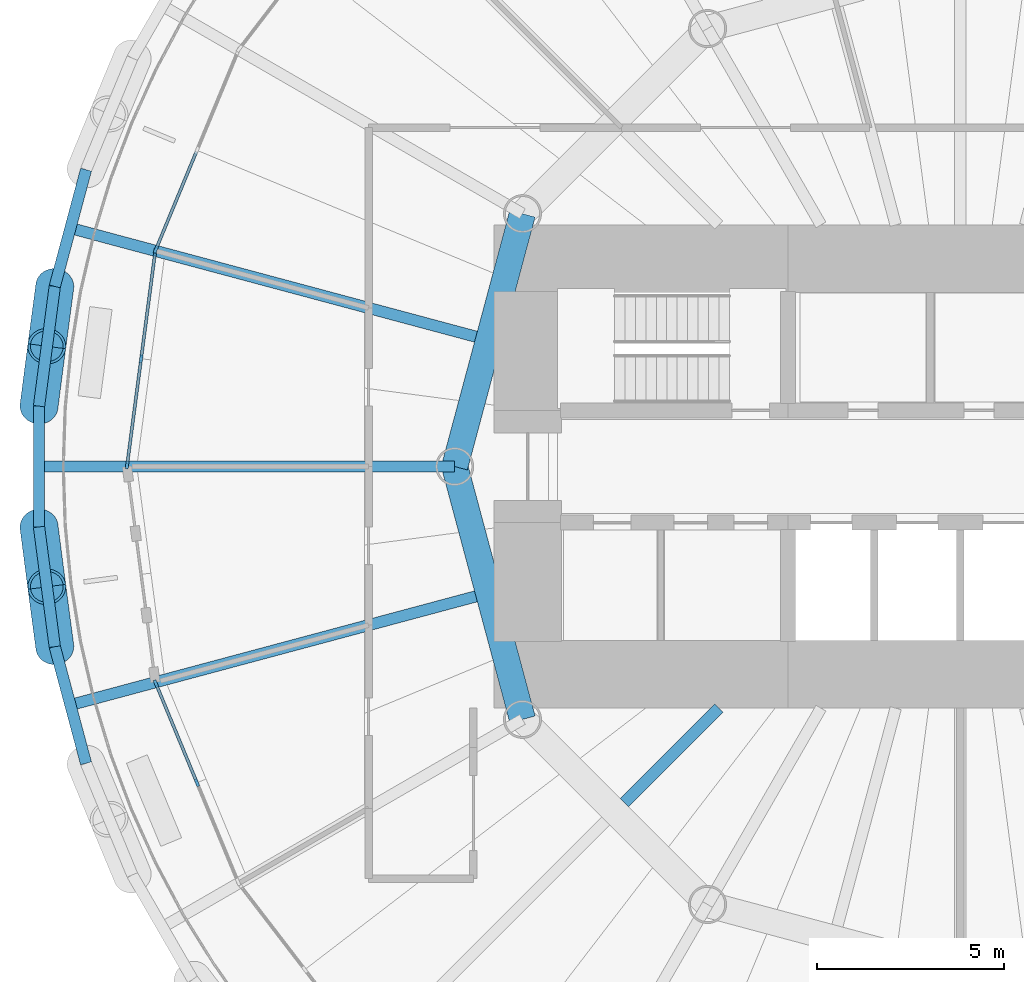
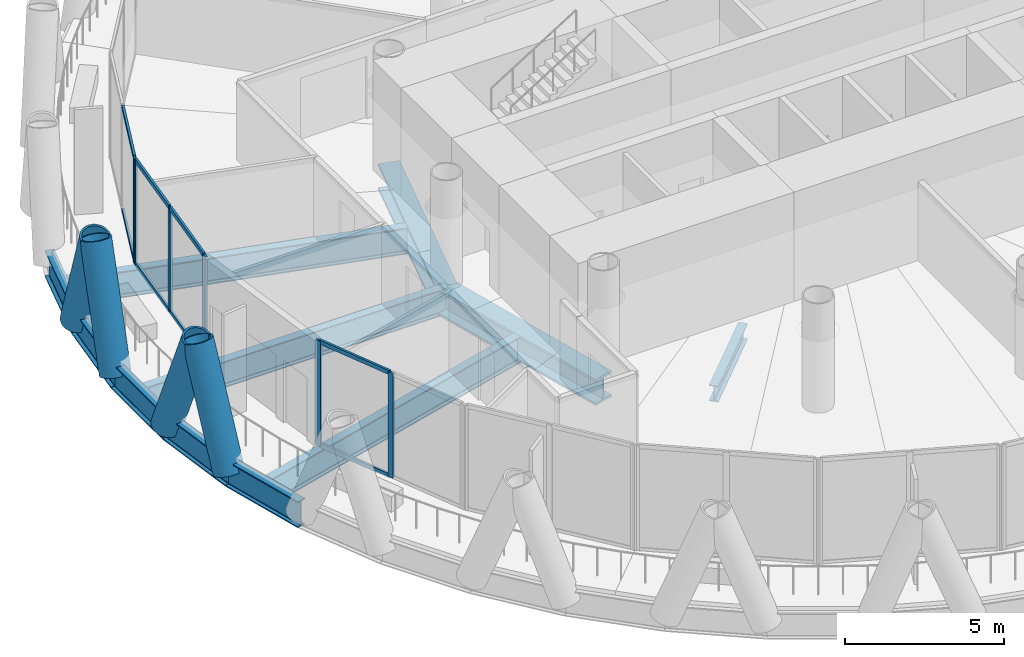
# One storey, part 3 of 15: 18 members, 11 beams, 3 elements without a shape of their own.
"""IFC4 building model written with IfcOpenShell, lengths in metres."""

from ifc_helpers import new_model, si_unit, direction, frame, origin, origin_2d, place, context, subcontext, project, spatial, rectangle, hollow_circle, i_section, extrude, material, material_profile, profile_set, type_object, element, aggregate, save


model = new_model("IFC4")

# Units and contexts
model_context = context("Model", 3, precision=1e-05, world=origin(), true_north=direction((0.0, 1.0)))
body_context = subcontext(model_context, "Body", "Model", "MODEL_VIEW")
ifc_project = project(units=[si_unit("LENGTHUNIT", "METRE"), si_unit("AREAUNIT", "SQUARE_METRE"), si_unit("VOLUMEUNIT", "CUBIC_METRE"), si_unit("PLANEANGLEUNIT", "RADIAN"), si_unit("MASSUNIT", "GRAM", prefix="KILO")], contexts=[model_context])

# Site, building, storey
site_placement = place(None, origin())
site = spatial("IfcSite", under=ifc_project, at=site_placement, CompositionType="ELEMENT")
building_placement = place(site_placement, origin())
building = spatial("IfcBuilding", under=site, at=building_placement, Name="Qaws Media Tower", CompositionType="ELEMENT")
storey_placement = place(building_placement, frame((0.0, 0.0, 164.60009765625)))
storey = spatial("IfcBuildingStorey", under=building, at=storey_placement, Name="L37", CompositionType="ELEMENT", Elevation=164.60009765625)

# Curtain wall, member
ifc_material_1 = material(Name="Aluminium and clear glass", Category="aluminium")
curtain_wall_type = type_object("IfcCurtainWallType", Name="Unitised curtain wall CW-B", PredefinedType="NOTDEFINED", material=ifc_material_1)
curtain_wall_1_placement = place(storey_placement, origin())
curtain_wall_1 = element("IfcCurtainWall", 1, at=curtain_wall_1_placement, inside=storey, type_object=curtain_wall_type, Name="CWB curtain wall L37-11", PredefinedType="NOTDEFINED")
ifc_material_2 = material(Name="Aluminium mullion", Category="aluminium")
ifc_material_profile_1 = material_profile(ifc_material_2, rectangle(XDim=0.080078125, YDim=0.199951171875, at=origin_2d()), Name="80x200")
ifc_profile_set_1 = profile_set([ifc_material_profile_1], Name="Aluminium mullion")
member_type_1 = type_object("IfcMemberType", Name="Curtain wall mullion 80x200", PredefinedType="MULLION", material=ifc_profile_set_1)
member_1_placement = place(storey_placement, frame((38.5234375, 55.795654296875, 0.0), z_axis=(0.0, 0.0, 1.0), x_axis=(0.923879489819, -0.382683535434, 0.0)))
member_1 = element("IfcMember", 2, at=member_1_placement, type_object=member_type_1, Name="CWB mullion 3", PredefinedType="MULLION", context=body_context, shape_type="SweptSolid", body=[
    extrude(rectangle(XDim=0.080078125, YDim=0.199951171875, at=origin_2d()), origin(), (0.0, 0.0, 1.0), 4.039794921875),
])

# Curtain wall, members
curtain_wall_2_placement = place(storey_placement, origin())
curtain_wall_2 = element("IfcCurtainWall", 3, at=curtain_wall_2_placement, inside=storey, type_object=curtain_wall_type, Name="CWB curtain wall L37-12", PredefinedType="NOTDEFINED")
member_2_placement = place(storey_placement, frame((38.5029296875, 55.718994140625, 0.0), z_axis=(0.0, 0.0, 1.0), x_axis=(0.991444870231, -0.130526124942, 0.0)))
member_2 = element("IfcMember", 4, at=member_2_placement, type_object=member_type_1, Name="CWB mullion 1", PredefinedType="MULLION", context=body_context, shape_type="SweptSolid", body=[
    extrude(rectangle(XDim=0.080078125, YDim=0.199951171875, at=origin_2d()), origin(), (0.0, 0.0, 1.0), 4.039794921875),
])
member_3_placement = place(storey_placement, frame((38.129150390625, 52.87939453125, 0.0), z_axis=(0.0, 0.0, 1.0), x_axis=(0.991444870231, -0.130526124942, 0.0)))
member_3 = element("IfcMember", 5, at=member_3_placement, type_object=member_type_1, Name="CWB mullion 2", PredefinedType="MULLION", context=body_context, shape_type="SweptSolid", body=[
    extrude(rectangle(XDim=0.080078125, YDim=0.199951171875, at=origin_2d()), origin(), (0.0, 0.0, 1.0), 4.039794921875),
])
member_4_placement = place(storey_placement, frame((37.755126953125, 50.03955078125, 0.0), z_axis=(0.0, 0.0, 1.0), x_axis=(0.991444870231, -0.130526124942, 0.0)))
member_4 = element("IfcMember", 6, at=member_4_placement, type_object=member_type_1, Name="CWB mullion 3", PredefinedType="MULLION", context=body_context, shape_type="SweptSolid", body=[
    extrude(rectangle(XDim=0.080078125, YDim=0.199951171875, at=origin_2d()), origin(), (0.0, 0.0, 1.0), 4.039794921875),
])

curtain_wall_3_placement = place(storey_placement, origin())
curtain_wall_3 = element("IfcCurtainWall", 7, at=curtain_wall_3_placement, inside=storey, type_object=curtain_wall_type, Name="CWB curtain wall L37-14", PredefinedType="NOTDEFINED")
member_5_placement = place(storey_placement, frame((38.5234375, 44.204345703125, 0.0), z_axis=(0.0, 0.0, 1.0), x_axis=(0.923879489819, 0.382683535434, 0.0)))
member_5 = element("IfcMember", 8, at=member_5_placement, type_object=member_type_1, Name="CWB mullion 1", PredefinedType="MULLION", context=body_context, shape_type="SweptSolid", body=[
    extrude(rectangle(XDim=0.080078125, YDim=0.199951171875, at=origin_2d()), origin(), (0.0, 0.0, 1.0), 4.039794921875),
])
member_6_placement = place(storey_placement, frame((39.61962890625, 41.55810546875, 0.0), z_axis=(0.0, 0.0, 1.0), x_axis=(0.923879489819, 0.382683535434, 0.0)))
member_6 = element("IfcMember", 9, at=member_6_placement, type_object=member_type_1, Name="CWB mullion 2", PredefinedType="MULLION", context=body_context, shape_type="SweptSolid", body=[
    extrude(rectangle(XDim=0.080078125, YDim=0.199951171875, at=origin_2d()), origin(), (0.0, 0.0, 1.0), 4.039794921875),
])

# Member
ifc_material_3 = material(Name="Aluminium transom", Category="aluminium")
ifc_material_profile_2 = material_profile(ifc_material_3, rectangle(XDim=0.080078125, YDim=0.159912109375, at=origin_2d()), Name="80x160")
ifc_profile_set_2 = profile_set([ifc_material_profile_2], Name="Aluminium transom")
member_type_2 = type_object("IfcMemberType", Name="Curtain wall transom 80x160", PredefinedType="USERDEFINED", material=ifc_profile_set_2)
member_7_placement = place(storey_placement, frame((39.604248046875, 58.40478515625, 0.039794921875), z_axis=(-0.382671898974, -0.923884309714, 0.0), x_axis=(0.923884309714, -0.382671898974, 0.0)))
member_7 = element("IfcMember", 10, at=member_7_placement, type_object=member_type_2, Name="CWB transom 2.1", ObjectType="TRANSOM", PredefinedType="USERDEFINED", context=body_context, shape_type="SweptSolid", body=[
    extrude(rectangle(XDim=0.080078125, YDim=0.159912109375, at=origin_2d()), origin(), (0.0, 0.0, 1.0), 2.7841796875),
])

member_8_placement = place(storey_placement, frame((39.604248046875, 58.40478515625, 4.0), z_axis=(-0.382671898974, -0.923884309714, 0.0), x_axis=(0.923884309714, -0.382671898974, 0.0)))
member_8 = element("IfcMember", 11, at=member_8_placement, type_object=member_type_2, Name="CWB transom 2.2", ObjectType="TRANSOM", PredefinedType="USERDEFINED", context=body_context, shape_type="SweptSolid", body=[
    extrude(rectangle(XDim=0.080078125, YDim=0.159912109375, at=origin_2d()), origin(), (0.0, 0.0, 1.0), 2.7841796875),
])

aggregate(curtain_wall_1, [member_1, member_7, member_8])

member_9_placement = place(storey_placement, frame((38.497802734375, 55.679443359375, 0.039794921875), z_axis=(-0.130561117123, -0.991440262797, 0.0), x_axis=(0.991440262797, -0.130561117123, 0.0)))
member_9 = element("IfcMember", 12, at=member_9_placement, type_object=member_type_2, Name="CWB transom 1.1", ObjectType="TRANSOM", PredefinedType="USERDEFINED", context=body_context, shape_type="SweptSolid", body=[
    extrude(rectangle(XDim=0.080078125, YDim=0.159912109375, at=origin_2d()), origin(), (0.0, 0.0, 1.0), 2.784423828125),
])

member_10_placement = place(storey_placement, frame((38.497802734375, 55.679443359375, 4.0), z_axis=(-0.130561117123, -0.991440262797, 0.0), x_axis=(0.991440262797, -0.130561117123, 0.0)))
member_10 = element("IfcMember", 13, at=member_10_placement, type_object=member_type_2, Name="CWB transom 1.2", ObjectType="TRANSOM", PredefinedType="USERDEFINED", context=body_context, shape_type="SweptSolid", body=[
    extrude(rectangle(XDim=0.080078125, YDim=0.159912109375, at=origin_2d()), origin(), (0.0, 0.0, 1.0), 2.784423828125),
])

member_11_placement = place(storey_placement, frame((38.123779296875, 52.839599609375, 0.039794921875), z_axis=(-0.130486270401, -0.991450116363, 0.0), x_axis=(0.991450116363, -0.130486270401, 0.0)))
member_11 = element("IfcMember", 14, at=member_11_placement, type_object=member_type_2, Name="CWB transom 2.1", ObjectType="TRANSOM", PredefinedType="USERDEFINED", context=body_context, shape_type="SweptSolid", body=[
    extrude(rectangle(XDim=0.080078125, YDim=0.159912109375, at=origin_2d()), origin(), (0.0, 0.0, 1.0), 2.783935546875),
])

member_12_placement = place(storey_placement, frame((38.123779296875, 52.839599609375, 4.0), z_axis=(-0.130486270401, -0.991450116363, 0.0), x_axis=(0.991450116363, -0.130486270401, 0.0)))
member_12 = element("IfcMember", 15, at=member_12_placement, type_object=member_type_2, Name="CWB transom 2.2", ObjectType="TRANSOM", PredefinedType="USERDEFINED", context=body_context, shape_type="SweptSolid", body=[
    extrude(rectangle(XDim=0.080078125, YDim=0.159912109375, at=origin_2d()), origin(), (0.0, 0.0, 1.0), 2.783935546875),
])

aggregate(curtain_wall_2, [member_2, member_3, member_4, member_9, member_10, member_11, member_12])

member_13_placement = place(storey_placement, frame((38.538818359375, 44.16748046875, 0.039794921875), z_axis=(0.382671898974, -0.923884309714, 0.0), x_axis=(0.923884309714, 0.382671898974, 0.0)))
member_13 = element("IfcMember", 16, at=member_13_placement, type_object=member_type_2, Name="CWB transom 1.1", ObjectType="TRANSOM", PredefinedType="USERDEFINED", context=body_context, shape_type="SweptSolid", body=[
    extrude(rectangle(XDim=0.080078125, YDim=0.159912109375, at=origin_2d()), origin(), (0.0, 0.0, 1.0), 2.7841796875),
])

member_14_placement = place(storey_placement, frame((38.538818359375, 44.16748046875, 4.0), z_axis=(0.382671898974, -0.923884309714, 0.0), x_axis=(0.923884309714, 0.382671898974, 0.0)))
member_14 = element("IfcMember", 17, at=member_14_placement, type_object=member_type_2, Name="CWB transom 1.2", ObjectType="TRANSOM", PredefinedType="USERDEFINED", context=body_context, shape_type="SweptSolid", body=[
    extrude(rectangle(XDim=0.080078125, YDim=0.159912109375, at=origin_2d()), origin(), (0.0, 0.0, 1.0), 2.7841796875),
])

aggregate(curtain_wall_3, [member_5, member_6, member_13, member_14])

# Members
ifc_material_4 = material(Name="Steel S460", Category="steel")
ifc_material_profile_3 = material_profile(ifc_material_4, hollow_circle(Radius=0.508056640625, WallThickness=0.070068359375, at=origin_2d()), Name="CHS 1016x70")
ifc_profile_set_3 = profile_set([ifc_material_profile_3], Name="Steel S460")
member_type_3 = type_object("IfcMemberType", Name="Diagrid member CHS 1016x70", PredefinedType="USERDEFINED", material=ifc_profile_set_3)
for number, where, z_axis, x_axis, name in (
    (18, (35.82373046875, 54.80908203125, -0.6640625), (-0.047430200457, -0.355238091749, 0.933571783129), (0.991204080377, -0.132342249656, 0.0), "DG3 diagrid L37 A12"),
    (19, (35.40283203125, 48.3876953125, -0.6640625), (0.046128800978, -0.355354575065, 0.933592662621), (0.991679607789, 0.128730553852, 0.0), "DG3 diagrid L37 A13"),
    (20, (35.40283203125, 51.6123046875, -0.6640625), (0.046128800978, 0.355354575065, 0.933592662621), (-0.991679607789, 0.128730553852, 0.0), "DG3 diagrid L37 B13"),
    (21, (35.82373046875, 45.19091796875, -0.6640625), (-0.047430200457, 0.355238091749, 0.933571783129), (-0.991204080377, -0.132342249656, 0.0), "DG3 diagrid L37 B14"),
):
    element("IfcMember", number, at=place(storey_placement, frame(where, z_axis=z_axis, x_axis=x_axis)), inside=storey, type_object=member_type_3, Name=name, ObjectType="DIAGRID", PredefinedType="USERDEFINED", context=body_context, shape_type="SweptSolid", body=[
        extrude(hollow_circle(Radius=0.508056640625, WallThickness=0.070068359375, at=origin_2d()), origin(), (0.0, 0.0, 1.0), 4.498779296875),
    ])

# Beams
ifc_material_5 = material(Name="Steel S460", Category="steel")
ifc_material_profile_4 = material_profile(ifc_material_5, i_section(OverallWidth=0.302001953125, OverallDepth=1.008056640625, WebThickness=0.02099609375, FlangeThickness=0.0400390625, FilletRadius=0.030029296875, at=origin_2d()), Name="HE 1000 M")
ifc_profile_set_4 = profile_set([ifc_material_profile_4], Name="Steel S460")
beam_type_1 = type_object("IfcBeamType", Name="Edge ring beam HE 1000 M", PredefinedType="BEAM", material=ifc_profile_set_4)
for number, where, z_axis, x_axis, name in (
    (22, (36.658203125, 57.923583984375, -0.6640625), (-0.258802948634, -0.965930139181, 0.0), (0.965930139181, -0.258802948634, 0.0), "RB3 edge ring beam L37-22"),
    (23, (35.82373046875, 54.80908203125, -0.6640625), (-0.130536775533, -0.991443467997, 0.0), (0.991443467997, -0.130536775533, 0.0), "RB3 edge ring beam L37-23"),
):
    element("IfcBeam", number, at=place(storey_placement, frame(where, z_axis=z_axis, x_axis=x_axis)), inside=storey, type_object=beam_type_1, Name=name, PredefinedType="BEAM", context=body_context, shape_type="SweptSolid", body=[
        extrude(i_section(OverallWidth=0.302001953125, OverallDepth=1.008056640625, WebThickness=0.02099609375, FlangeThickness=0.0400390625, FilletRadius=0.030029296875, at=origin_2d()), origin(), (0.0, 0.0, 1.0), 3.224365234375),
    ])
beam_1_placement = place(storey_placement, frame((35.40283203125, 51.6123046875, -0.6640625), z_axis=(0.0, -1.0, 0.0), x_axis=(1.0, 0.0, 0.0)))
element("IfcBeam", 24, at=beam_1_placement, inside=storey, type_object=beam_type_1, Name="RB3 edge ring beam L37-24", PredefinedType="BEAM", context=body_context, shape_type="SweptSolid", body=[
    extrude(i_section(OverallWidth=0.302001953125, OverallDepth=1.008056640625, WebThickness=0.02099609375, FlangeThickness=0.0400390625, FilletRadius=0.030029296875, at=origin_2d()), origin(), (0.0, 0.0, 1.0), 3.224609375),
])
for number, where, z_axis, x_axis, name in (
    (25, (35.40283203125, 48.3876953125, -0.6640625), (0.130536775533, -0.991443467997, 0.0), (0.991443467997, 0.130536775533, 0.0), "RB3 edge ring beam L37-25"),
    (26, (35.82373046875, 45.19091796875, -0.6640625), (0.258802948634, -0.965930139181, 0.0), (0.965930139181, 0.258802948634, 0.0), "RB3 edge ring beam L37-26"),
):
    element("IfcBeam", number, at=place(storey_placement, frame(where, z_axis=z_axis, x_axis=x_axis)), inside=storey, type_object=beam_type_1, Name=name, PredefinedType="BEAM", context=body_context, shape_type="SweptSolid", body=[
        extrude(i_section(OverallWidth=0.302001953125, OverallDepth=1.008056640625, WebThickness=0.02099609375, FlangeThickness=0.0400390625, FilletRadius=0.030029296875, at=origin_2d()), origin(), (0.0, 0.0, 1.0), 3.224365234375),
    ])
ifc_material_6 = material(Name="Steel S460", Category="steel")
ifc_material_profile_5 = material_profile(ifc_material_6, i_section(OverallWidth=0.699951171875, OverallDepth=1.0, WebThickness=0.034912109375, FlangeThickness=0.090087890625, at=origin_2d()), Name="PG 1000x700")
ifc_profile_set_5 = profile_set([ifc_material_profile_5], Name="Steel S460")
beam_type_2 = type_object("IfcBeamType", Name="Inner ring girder PG 1000x700", PredefinedType="BEAM", material=ifc_profile_set_5)
for number, where, z_axis, x_axis, name in (
    (27, (48.30859375, 56.75, -0.66015625), (-0.258810593767, -0.965928090778, 0.0), (0.965928090778, -0.258810593767, 0.0), "B3 inner ring beam L37 I06-I07"),
    (28, (46.5, 50.0, -0.66015625), (0.258810593767, -0.965928090778, 0.0), (0.965928090778, 0.258810593767, 0.0), "B3 inner ring beam L37 I07-I08"),
):
    element("IfcBeam", number, at=place(storey_placement, frame(where, z_axis=z_axis, x_axis=x_axis)), inside=storey, type_object=beam_type_2, Name=name, PredefinedType="BEAM", context=body_context, shape_type="SweptSolid", body=[
        extrude(i_section(OverallWidth=0.699951171875, OverallDepth=1.0, WebThickness=0.034912109375, FlangeThickness=0.090087890625, at=origin_2d()), origin(), (0.0, 0.0, 1.0), 6.988037109375),
    ])
ifc_material_7 = material(Name="Steel S355", Category="steel")
ifc_material_profile_6 = material_profile(ifc_material_7, i_section(OverallWidth=0.302001953125, OverallDepth=1.008056640625, WebThickness=0.02099609375, FlangeThickness=0.0400390625, FilletRadius=0.030029296875, at=origin_2d()), Name="HE 1000 M")
ifc_profile_set_6 = profile_set([ifc_material_profile_6], Name="Steel S355")
beam_type_3 = type_object("IfcBeamType", Name="Radial beam HE 1000 M", PredefinedType="BEAM", material=ifc_profile_set_6)
beam_2_placement = place(storey_placement, frame((47.066162109375, 53.465576171875, -0.6640625), z_axis=(-0.965925102998, 0.258821744446, 0.0), x_axis=(-0.258821744446, -0.965925102998, 0.0)))
element("IfcBeam", 29, at=beam_2_placement, inside=storey, type_object=beam_type_3, Name="B1 radial beam L37 12", PredefinedType="BEAM", context=body_context, shape_type="SweptSolid", body=[
    extrude(i_section(OverallWidth=0.302001953125, OverallDepth=1.008056640625, WebThickness=0.02099609375, FlangeThickness=0.0400390625, FilletRadius=0.030029296875, at=origin_2d()), origin(), (0.0, 0.0, 1.0), 11.20703125),
])
beam_3_placement = place(storey_placement, frame((46.5, 50.0, -0.6640625), z_axis=(-1.0, 0.0, 0.0), x_axis=(0.0, -1.0, 0.0)))
element("IfcBeam", 30, at=beam_3_placement, inside=storey, type_object=beam_type_3, Name="B1 radial beam L37 13", PredefinedType="BEAM", context=body_context, shape_type="SweptSolid", body=[
    extrude(i_section(OverallWidth=0.302001953125, OverallDepth=1.008056640625, WebThickness=0.02099609375, FlangeThickness=0.0400390625, FilletRadius=0.030029296875, at=origin_2d()), origin(), (0.0, 0.0, 1.0), 11.09716796875),
])
beam_4_placement = place(storey_placement, frame((47.066162109375, 46.534423828125, -0.6640625), z_axis=(-0.965925102998, -0.258821744446, 0.0), x_axis=(0.258821744446, -0.965925102998, 0.0)))
element("IfcBeam", 31, at=beam_4_placement, inside=storey, type_object=beam_type_3, Name="B1 radial beam L37 14", PredefinedType="BEAM", context=body_context, shape_type="SweptSolid", body=[
    extrude(i_section(OverallWidth=0.302001953125, OverallDepth=1.008056640625, WebThickness=0.02099609375, FlangeThickness=0.0400390625, FilletRadius=0.030029296875, at=origin_2d()), origin(), (0.0, 0.0, 1.0), 11.20703125),
])
ifc_material_8 = material(Name="Steel S355", Category="steel")
ifc_material_profile_7 = material_profile(ifc_material_8, i_section(OverallWidth=0.304931640625, OverallDepth=0.6201171875, WebThickness=0.02099609375, FlangeThickness=0.0400390625, FilletRadius=0.027099609375, at=origin_2d()), Name="HE 600 M")
ifc_profile_set_7 = profile_set([ifc_material_profile_7], Name="Steel S355")
beam_type_4 = type_object("IfcBeamType", Name="Radial beam HE 600 M, core side", PredefinedType="BEAM", material=ifc_profile_set_7)
beam_5_placement = place(storey_placement, frame((53.550048828125, 43.550048828125, -0.47021484375), z_axis=(-0.707106781187, -0.707106781187, 0.0), x_axis=(0.707106781187, -0.707106781187, 0.0)))
element("IfcBeam", 32, at=beam_5_placement, inside=storey, type_object=beam_type_4, Name="B2 radial beam L37 16", PredefinedType="BEAM", context=body_context, shape_type="SweptSolid", body=[
    extrude(i_section(OverallWidth=0.304931640625, OverallDepth=0.6201171875, WebThickness=0.02099609375, FlangeThickness=0.0400390625, FilletRadius=0.027099609375, at=origin_2d()), origin(), (0.0, 0.0, 1.0), 3.568359375),
])

save(model, "model.ifc")
